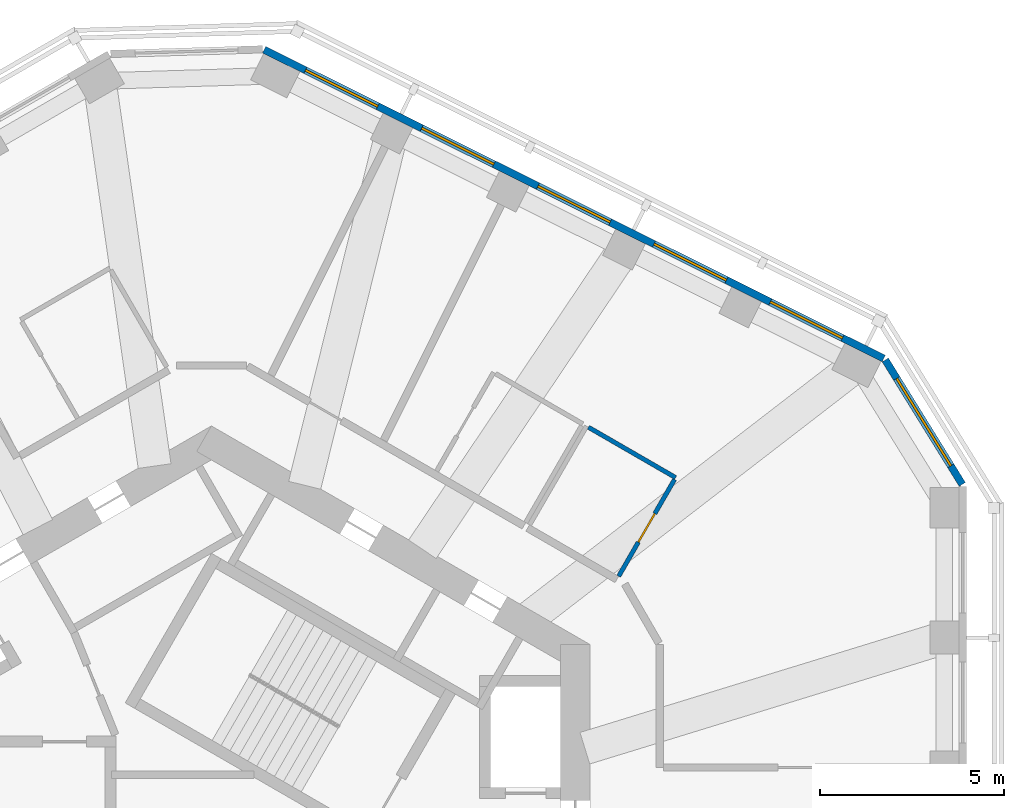
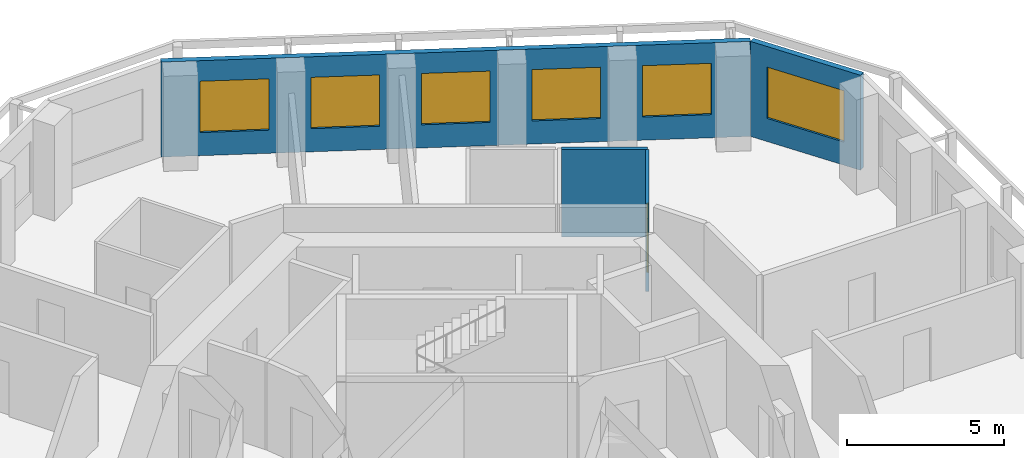
# One storey, part 8 of 11: 6 windows, 4 walls, 1 door, 7 openings.
"""IFC4 building model written with IfcOpenShell, lengths in metres."""

from ifc_helpers import new_model, si_unit, direction, frame, frame_2d, origin, place, context, subcontext, project, spatial, rectangle, extrude, material, layer, layer_set, type_object, element, fill, save


model = new_model("IFC4")

# Units and contexts
model_context = context("Model", 3, precision=1e-05, world=origin(), true_north=direction((0.0, 1.0)))
body_context = subcontext(model_context, "Body", "Model", "MODEL_VIEW")
ifc_project = project(units=[si_unit("LENGTHUNIT", "METRE"), si_unit("AREAUNIT", "SQUARE_METRE"), si_unit("VOLUMEUNIT", "CUBIC_METRE"), si_unit("PLANEANGLEUNIT", "RADIAN"), si_unit("MASSUNIT", "GRAM", prefix="KILO")], contexts=[model_context])

# Site, building, storey
site_placement = place(None, origin())
site = spatial("IfcSite", under=ifc_project, at=site_placement, CompositionType="ELEMENT")
building_placement = place(site_placement, origin())
building = spatial("IfcBuilding", under=site, at=building_placement, Name="Vanh Sen Convention Tower", CompositionType="ELEMENT")
storey_placement = place(building_placement, frame((0.0, 0.0, 232.800048828125)))
storey = spatial("IfcBuildingStorey", under=building, at=storey_placement, Name="L57", CompositionType="ELEMENT", Elevation=232.800048828125)

# Wall
ifc_material_1 = material(Name="Moisture-resistant gypsum board on steel studs", Category="steel")
ifc_layer_1 = layer(ifc_material_1, 0.1201171875)
ifc_layer_set_1 = layer_set([ifc_layer_1], Name="Moisture-resistant gypsum board on steel studs")
wall_type_1 = type_object("IfcWallType", Name="Bathroom partition 120", PredefinedType="PARTITIONING", material=ifc_layer_set_1)
wall_1_placement = place(storey_placement, frame((10.260498046875, 11.8583984375, 0.0), z_axis=(0.0, 0.0, 1.0), x_axis=(0.866019409031, -0.500010383074, 0.0)))
element("IfcWall", 1, at=wall_1_placement, inside=storey, type_object=wall_type_1, Name="Bathroom partition 120", PredefinedType="PARTITIONING", context=body_context, shape_type="SweptSolid", body=[
    extrude(rectangle(XDim=2.740234375, YDim=0.1201171875, at=frame_2d((1.3701171875, 0.0))), origin(), (0.0, 0.0, 1.0), 3.419921875),
])

# Wall, opening, door
wall_2_placement = place(storey_placement, frame((12.603515625, 10.436279296875, 0.0), z_axis=(0.0, 0.0, 1.0), x_axis=(-0.500026023896, -0.86601037836, 0.0)))
wall_2 = element("IfcWall", 2, at=wall_2_placement, inside=storey, type_object=wall_type_1, Name="Bathroom partition 120", PredefinedType="PARTITIONING", context=body_context, shape_type="SweptSolid", body=[
    extrude(rectangle(XDim=3.039794921875, YDim=0.1201171875, at=frame_2d((1.52001953125, 0.0))), origin(), (0.0, 0.0, 1.0), 3.419921875),
])
opening_1_placement = place(wall_2_placement, frame((1.070068359375, 0.0, 0.0)))
opening_1 = element("IfcOpeningElement", 3, at=opening_1_placement, cuts=wall_2, Name="Opening D56102", PredefinedType="OPENING", context=body_context, shape_type="SweptSolid", body=[
    extrude(rectangle(XDim=0.89990234375, YDim=2.10009765625, at=frame_2d((0.449951171875, 1.050048828125))), frame((0.0, 0.070068359375, 0.0), z_axis=(0.0, -1.0, 0.0), x_axis=(1.0, 0.0, 0.0)), (0.0, 0.0, 1.0), 0.14013671875),
])
ifc_material_2 = material(Name="Laminate door in steel frame", Category="steel")
door_type = type_object("IfcDoorType", Name="Room internal door 900", OperationType="SINGLE_SWING_LEFT", PredefinedType="DOOR", material=ifc_material_2)
door_placement = place(opening_1_placement, origin())
door = element("IfcDoor", 4, at=door_placement, inside=storey, type_object=door_type, Name="Internal room door D56102", OperationType="SINGLE_SWING_LEFT", OverallHeight=2.10009765625, OverallWidth=0.89990234375, PredefinedType="DOOR", context=body_context, shape_type="SweptSolid", body=[
    extrude(rectangle(XDim=0.89990234375, YDim=2.10009765625, at=frame_2d((0.449951171875, 1.050048828125))), frame((0.0, 0.02490234375, 0.0), z_axis=(0.0, -1.0, 0.0), x_axis=(1.0, 0.0, 0.0)), (0.0, 0.0, 1.0), 0.050048828125),
])
fill(opening_1, door)

# Wall, opening, window
ifc_material_3 = material(Name="Insulated lightweight infill wall")
ifc_layer_2 = layer(ifc_material_3, 0.199951171875)
ifc_layer_set_2 = layer_set([ifc_layer_2], Name="Insulated lightweight infill wall")
wall_type_2 = type_object("IfcWallType", Name="External wall 200", PredefinedType="STANDARD", material=ifc_layer_set_2)
wall_3_placement = place(storey_placement, frame((20.43505859375, 10.3037109375, 0.0), z_axis=(0.0, 0.0, 1.0), x_axis=(-0.526202661606, 0.850359194058, 0.0)))
wall_3 = element("IfcWall", 5, at=wall_3_placement, inside=storey, type_object=wall_type_2, Name="External wall CH1 L57", PredefinedType="STANDARD", context=body_context, shape_type="SweptSolid", body=[
    extrude(rectangle(XDim=3.982666015625, YDim=0.199951171875, at=frame_2d((1.9912109375, 0.0))), origin(), (0.0, 0.0, 1.0), 3.699951171875),
])
opening_2_placement = place(wall_3_placement, frame((0.59130859375, 0.0, 0.89990234375)))
opening_2 = element("IfcOpeningElement", 6, at=opening_2_placement, cuts=wall_3, Name="Opening WO4-CH11", PredefinedType="OPENING", context=body_context, shape_type="SweptSolid", body=[
    extrude(rectangle(XDim=2.800048828125, YDim=2.0, at=frame_2d((1.39990234375, 1.0))), frame((0.0, 0.10986328125, 0.0), z_axis=(0.0, -1.0, 0.0), x_axis=(1.0, 0.0, 0.0)), (0.0, 0.0, 1.0), 0.219970703125),
])
ifc_material_4 = material(Name="Aluminium frame with clear low-emissivity glass", Category="aluminium")
window_type_1 = type_object("IfcWindowType", Name="Office window 2800 x 2000", PartitioningType="SINGLE_PANEL", PredefinedType="WINDOW", material=ifc_material_4)
window_1_placement = place(opening_2_placement, origin())
window_1 = element("IfcWindow", 7, at=window_1_placement, inside=storey, type_object=window_type_1, Name="Window WO4-CH11", OverallHeight=2.0, OverallWidth=2.800048828125, PartitioningType="SINGLE_PANEL", PredefinedType="WINDOW", context=body_context, shape_type="SweptSolid", body=[
    extrude(rectangle(XDim=2.800048828125, YDim=2.0, at=frame_2d((1.39990234375, 1.0))), frame((0.0, 0.030029296875, 0.0), z_axis=(0.0, -1.0, 0.0), x_axis=(1.0, 0.0, 0.0)), (0.0, 0.0, 1.0), 0.06005859375),
])
fill(opening_2, window_1)

# Wall, openings, windows
wall_4_placement = place(storey_placement, frame((18.298828125, 13.727294921875, 0.0), z_axis=(0.0, 0.0, 1.0), x_axis=(-0.894934554817, 0.44619742558, 0.0)))
wall_4 = element("IfcWall", 8, at=wall_4_placement, inside=storey, type_object=wall_type_2, Name="External wall NE L57", PredefinedType="STANDARD", context=body_context, shape_type="SweptSolid", body=[
    extrude(rectangle(XDim=18.84130859375, YDim=0.199951171875, at=frame_2d((9.420654296875, 0.0))), origin(), (0.0, 0.0, 1.0), 3.699951171875),
])
opening_3_placement = place(wall_4_placement, frame((1.252685546875, 0.0, 0.89990234375)))
opening_3 = element("IfcOpeningElement", 9, at=opening_3_placement, cuts=wall_4, Name="Opening WO3-NE1", PredefinedType="OPENING", context=body_context, shape_type="SweptSolid", body=[
    extrude(rectangle(XDim=2.199951171875, YDim=2.0, at=frame_2d((1.10009765625, 1.0))), frame((0.0, 0.10986328125, 0.0), z_axis=(0.0, -1.0, 0.0), x_axis=(1.0, 0.0, 0.0)), (0.0, 0.0, 1.0), 0.219970703125),
])
opening_4_placement = place(wall_4_placement, frame((4.7861328125, 0.0, 0.89990234375)))
opening_4 = element("IfcOpeningElement", 10, at=opening_4_placement, cuts=wall_4, Name="Opening WO3-NE2", PredefinedType="OPENING", context=body_context, shape_type="SweptSolid", body=[
    extrude(rectangle(XDim=2.199951171875, YDim=2.0, at=frame_2d((1.10009765625, 1.0))), frame((0.0, 0.10986328125, 0.0), z_axis=(0.0, -1.0, 0.0), x_axis=(1.0, 0.0, 0.0)), (0.0, 0.0, 1.0), 0.219970703125),
])
opening_5_placement = place(wall_4_placement, frame((8.31982421875, 0.0, 0.89990234375)))
opening_5 = element("IfcOpeningElement", 11, at=opening_5_placement, cuts=wall_4, Name="Opening WO3-NE3", PredefinedType="OPENING", context=body_context, shape_type="SweptSolid", body=[
    extrude(rectangle(XDim=2.199951171875, YDim=2.0, at=frame_2d((1.10009765625, 1.0))), frame((0.0, 0.10986328125, 0.0), z_axis=(0.0, -1.0, 0.0), x_axis=(1.0, 0.0, 0.0)), (0.0, 0.0, 1.0), 0.219970703125),
])
opening_6_placement = place(wall_4_placement, frame((11.853515625, 0.0, 0.89990234375)))
opening_6 = element("IfcOpeningElement", 12, at=opening_6_placement, cuts=wall_4, Name="Opening WO3-NE4", PredefinedType="OPENING", context=body_context, shape_type="SweptSolid", body=[
    extrude(rectangle(XDim=2.199951171875, YDim=2.0, at=frame_2d((1.10009765625, 1.0))), frame((0.0, 0.10986328125, 0.0), z_axis=(0.0, -1.0, 0.0), x_axis=(1.0, 0.0, 0.0)), (0.0, 0.0, 1.0), 0.219970703125),
])
opening_7_placement = place(wall_4_placement, frame((15.38720703125, 0.0, 0.89990234375)))
opening_7 = element("IfcOpeningElement", 13, at=opening_7_placement, cuts=wall_4, Name="Opening WO3-NE5", PredefinedType="OPENING", context=body_context, shape_type="SweptSolid", body=[
    extrude(rectangle(XDim=2.199951171875, YDim=2.0, at=frame_2d((1.10009765625, 1.0))), frame((0.0, 0.10986328125, 0.0), z_axis=(0.0, -1.0, 0.0), x_axis=(1.0, 0.0, 0.0)), (0.0, 0.0, 1.0), 0.219970703125),
])
window_type_2 = type_object("IfcWindowType", Name="Office window 2200 x 2000", PartitioningType="SINGLE_PANEL", PredefinedType="WINDOW", material=ifc_material_4)
window_2_placement = place(opening_3_placement, origin())
window_2 = element("IfcWindow", 14, at=window_2_placement, inside=storey, type_object=window_type_2, Name="Window WO3-NE1", OverallHeight=2.0, OverallWidth=2.199951171875, PartitioningType="SINGLE_PANEL", PredefinedType="WINDOW", context=body_context, shape_type="SweptSolid", body=[
    extrude(rectangle(XDim=2.199951171875, YDim=2.0, at=frame_2d((1.10009765625, 1.0))), frame((0.0, 0.030029296875, 0.0), z_axis=(0.0, -1.0, 0.0), x_axis=(1.0, 0.0, 0.0)), (0.0, 0.0, 1.0), 0.06005859375),
])
fill(opening_3, window_2)
window_3_placement = place(opening_4_placement, origin())
window_3 = element("IfcWindow", 15, at=window_3_placement, inside=storey, type_object=window_type_2, Name="Window WO3-NE2", OverallHeight=2.0, OverallWidth=2.199951171875, PartitioningType="SINGLE_PANEL", PredefinedType="WINDOW", context=body_context, shape_type="SweptSolid", body=[
    extrude(rectangle(XDim=2.199951171875, YDim=2.0, at=frame_2d((1.10009765625, 1.0))), frame((0.0, 0.030029296875, 0.0), z_axis=(0.0, -1.0, 0.0), x_axis=(1.0, 0.0, 0.0)), (0.0, 0.0, 1.0), 0.06005859375),
])
fill(opening_4, window_3)
window_4_placement = place(opening_5_placement, origin())
window_4 = element("IfcWindow", 16, at=window_4_placement, inside=storey, type_object=window_type_2, Name="Window WO3-NE3", OverallHeight=2.0, OverallWidth=2.199951171875, PartitioningType="SINGLE_PANEL", PredefinedType="WINDOW", context=body_context, shape_type="SweptSolid", body=[
    extrude(rectangle(XDim=2.199951171875, YDim=2.0, at=frame_2d((1.10009765625, 1.0))), frame((0.0, 0.030029296875, 0.0), z_axis=(0.0, -1.0, 0.0), x_axis=(1.0, 0.0, 0.0)), (0.0, 0.0, 1.0), 0.06005859375),
])
fill(opening_5, window_4)
window_5_placement = place(opening_6_placement, origin())
window_5 = element("IfcWindow", 17, at=window_5_placement, inside=storey, type_object=window_type_2, Name="Window WO3-NE4", OverallHeight=2.0, OverallWidth=2.199951171875, PartitioningType="SINGLE_PANEL", PredefinedType="WINDOW", context=body_context, shape_type="SweptSolid", body=[
    extrude(rectangle(XDim=2.199951171875, YDim=2.0, at=frame_2d((1.10009765625, 1.0))), frame((0.0, 0.030029296875, 0.0), z_axis=(0.0, -1.0, 0.0), x_axis=(1.0, 0.0, 0.0)), (0.0, 0.0, 1.0), 0.06005859375),
])
fill(opening_6, window_5)
window_6_placement = place(opening_7_placement, origin())
window_6 = element("IfcWindow", 18, at=window_6_placement, inside=storey, type_object=window_type_2, Name="Window WO3-NE5", OverallHeight=2.0, OverallWidth=2.199951171875, PartitioningType="SINGLE_PANEL", PredefinedType="WINDOW", context=body_context, shape_type="SweptSolid", body=[
    extrude(rectangle(XDim=2.199951171875, YDim=2.0, at=frame_2d((1.10009765625, 1.0))), frame((0.0, 0.030029296875, 0.0), z_axis=(0.0, -1.0, 0.0), x_axis=(1.0, 0.0, 0.0)), (0.0, 0.0, 1.0), 0.06005859375),
])
fill(opening_7, window_6)

save(model, "model.ifc")
